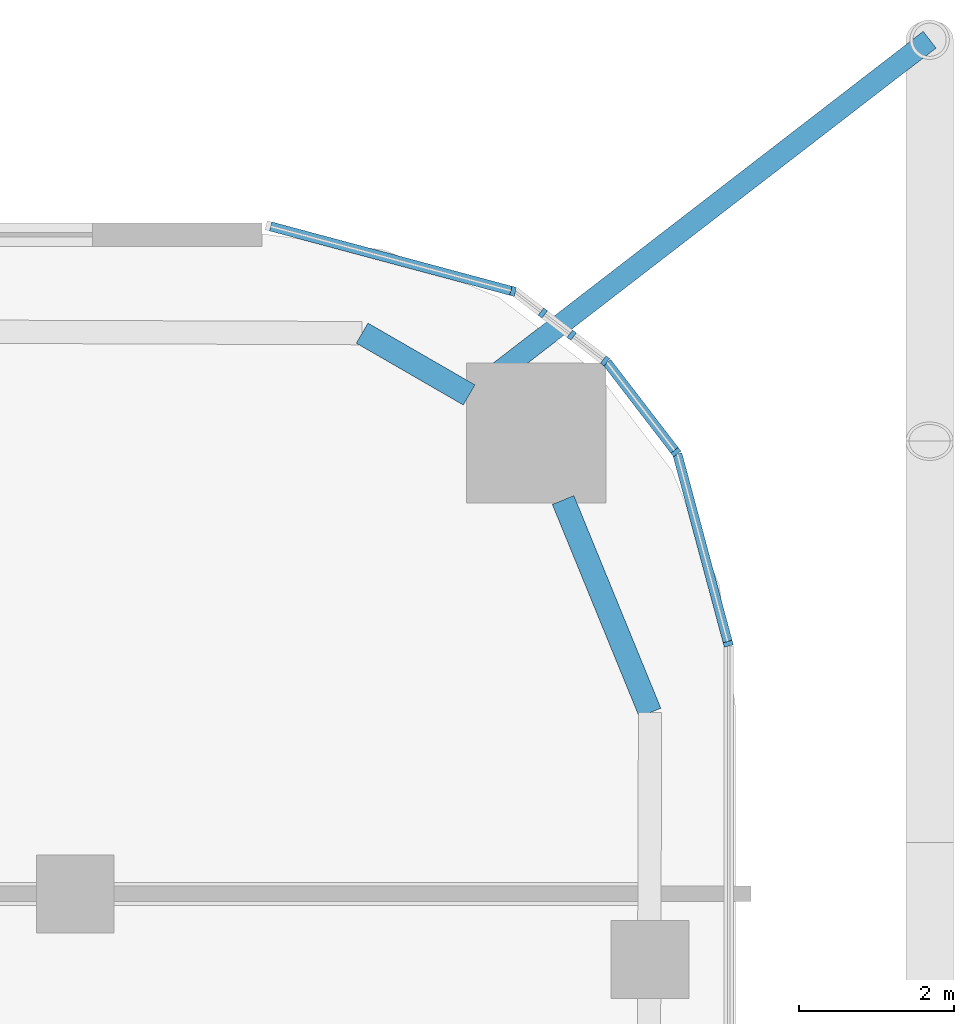
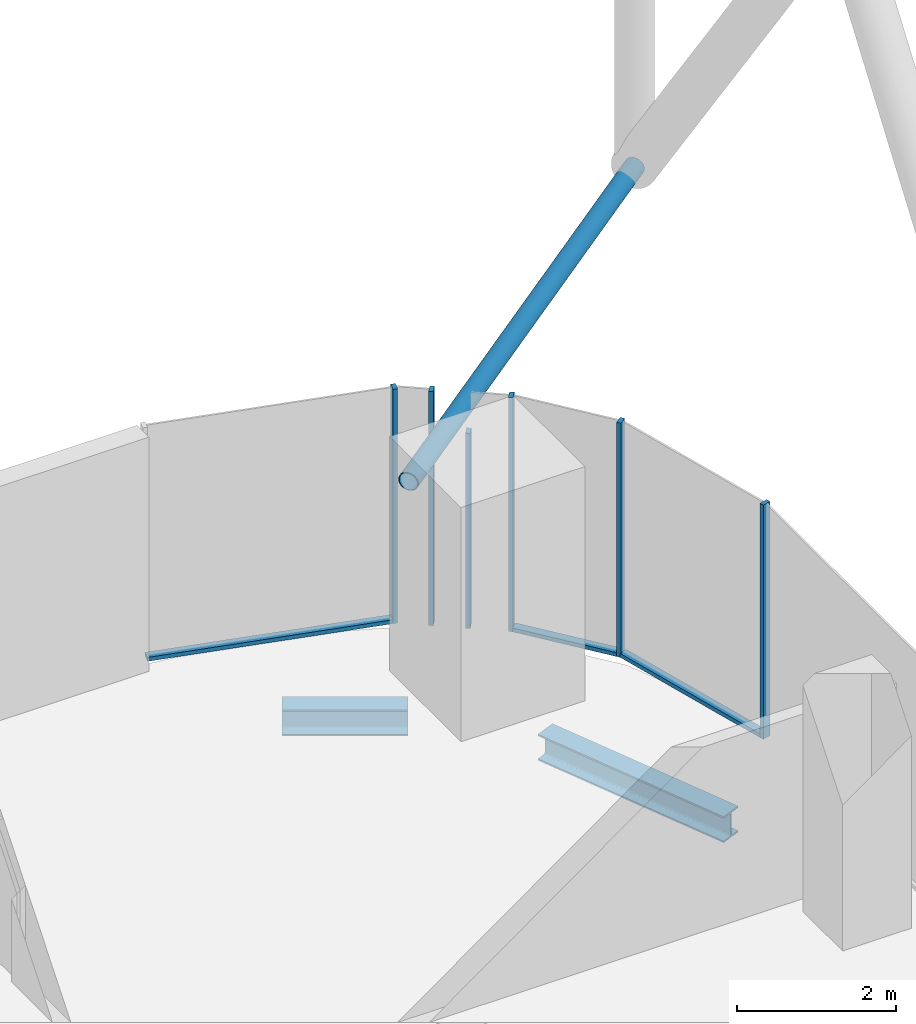
# One storey, part 14 of 34: 10 members, 2 beams, 6 elements without a shape of their own.
"""IFC4 building model written with IfcOpenShell, lengths in metres."""

from ifc_helpers import new_model, si_unit, direction, frame, origin, origin_2d, place, context, subcontext, project, spatial, rectangle, hollow_circle, i_section, extrude, material, layer, layer_set, material_profile, profile_set, type_object, element, aggregate, save


model = new_model("IFC4")

# Units and contexts
model_context = context("Model", 3, precision=1e-05, world=origin(), true_north=direction((0.0, 1.0)))
body_context = subcontext(model_context, "Body", "Model", "MODEL_VIEW")
ifc_project = project(units=[si_unit("LENGTHUNIT", "METRE"), si_unit("AREAUNIT", "SQUARE_METRE"), si_unit("VOLUMEUNIT", "CUBIC_METRE"), si_unit("PLANEANGLEUNIT", "RADIAN"), si_unit("MASSUNIT", "GRAM", prefix="KILO")], contexts=[model_context])

# Site, building, storey
site_placement = place(None, origin())
site = spatial("IfcSite", under=ifc_project, at=site_placement, CompositionType="ELEMENT")
building_placement = place(site_placement, origin())
building = spatial("IfcBuilding", under=site, at=building_placement, Name="Marenta Gate Hotel Tower", CompositionType="ELEMENT")
storey_placement = place(building_placement, frame((0.0, 0.0, 76.10009765625)))
storey = spatial("IfcBuildingStorey", under=building, at=storey_placement, Name="L17", CompositionType="ELEMENT", Elevation=76.10009765625)

# Beams
ifc_material_1 = material(Name="Steel S355", Category="steel")
ifc_material_profile_1 = material_profile(ifc_material_1, i_section(OverallWidth=0.300048828125, OverallDepth=0.39990234375, WebThickness=0.013427734375, FlangeThickness=0.02392578125, FilletRadius=0.027099609375, at=origin_2d()), Name="HEB 400")
ifc_profile_set_1 = profile_set([ifc_material_profile_1], Name="Steel S355")
beam_type = type_object("IfcBeamType", Name="Edge beam HEB 400", PredefinedType="SPANDREL", material=ifc_profile_set_1)
beam_1_placement = place(storey_placement, frame((24.69189453125, 32.42138671875, -0.460205078125), z_axis=(0.865968422476, -0.500098681536, 0.0), x_axis=(0.500098681536, 0.865968422476, 0.0)))
element("IfcBeam", 1, at=beam_1_placement, inside=storey, type_object=beam_type, Name="L17-EB-20", PredefinedType="SPANDREL", context=body_context, shape_type="SweptSolid", body=[
    extrude(i_section(OverallWidth=0.300048828125, OverallDepth=0.39990234375, WebThickness=0.013427734375, FlangeThickness=0.02392578125, FilletRadius=0.027099609375, at=origin_2d()), origin(), (0.0, 0.0, 1.0), 1.591552734375),
])
beam_2_placement = place(storey_placement, frame((27.280029296875, 30.2724609375, -0.460205078125), z_axis=(0.378565359962, -0.925574561144, 0.0), x_axis=(0.925574561144, 0.378565359962, 0.0)))
element("IfcBeam", 2, at=beam_2_placement, inside=storey, type_object=beam_type, Name="L17-EB-21", PredefinedType="SPANDREL", context=body_context, shape_type="SweptSolid", body=[
    extrude(i_section(OverallWidth=0.300048828125, OverallDepth=0.39990234375, WebThickness=0.013427734375, FlangeThickness=0.02392578125, FilletRadius=0.027099609375, at=origin_2d()), origin(), (0.0, 0.0, 1.0), 2.958251953125),
])

# Member
ifc_material_2 = material(Name="Steel S355J2W", Category="steel")
ifc_material_profile_2 = material_profile(ifc_material_2, hollow_circle(Radius=0.136474609375, WallThickness=0.012451171875, at=origin_2d()), Name="CHS 273x12.5")
ifc_profile_set_2 = profile_set([ifc_material_profile_2], Name="Steel S355J2W")
member_type_1 = type_object("IfcMemberType", Name="Floor tie CHS 273x12.5", PredefinedType="STRUT", material=ifc_profile_set_2)
member_1_placement = place(storey_placement, frame((32.0, 36.199951171875, 3.139892578125), z_axis=(-0.791777746729, -0.610809299032, 0.0), x_axis=(0.610809299032, -0.791777746729, 0.0)))
element("IfcMember", 3, at=member_1_placement, inside=storey, type_object=member_type_1, Name="L17-DR-7", PredefinedType="STRUT", context=body_context, shape_type="SweptSolid", body=[
    extrude(hollow_circle(Radius=0.136474609375, WallThickness=0.012451171875, at=origin_2d()), origin(), (0.0, 0.0, 1.0), 7.48193359375),
])

# Curtain wall, member
ifc_material_3 = material(Name="Tinted insulated glass in bronze anodised frame", Category="glass")
ifc_layer = layer(ifc_material_3, 0.1201171875)
ifc_layer_set = layer_set([ifc_layer], Name="Tinted insulated glass in bronze anodised frame")
curtain_wall_type = type_object("IfcCurtainWallType", Name="Tower unitised curtain wall CW1", PredefinedType="NOTDEFINED", material=ifc_layer_set)
curtain_wall_1_placement = place(storey_placement, origin())
curtain_wall_1 = element("IfcCurtainWall", 4, at=curtain_wall_1_placement, inside=storey, type_object=curtain_wall_type, Name="CW1 run G19", PredefinedType="NOTDEFINED")
ifc_material_4 = material(Name="Bronze anodised aluminium", Category="aluminium")
ifc_material_profile_3 = material_profile(ifc_material_4, rectangle(XDim=0.1201171875, YDim=0.06005859375, at=origin_2d()), Name="Mullion CW1 60x120 bronze anodised aluminium")
ifc_profile_set_3 = profile_set([ifc_material_profile_3], Name="Bronze anodised aluminium")
member_type_2 = type_object("IfcMemberType", Name="Mullion CW1 60x120 bronze anodised aluminium", PredefinedType="MULLION", material=ifc_profile_set_3)
member_2_placement = place(storey_placement, frame((29.40625, 28.4208984375, 0.0), z_axis=(0.0, 0.0, 1.0), x_axis=(-0.965925039579, -0.258821981125, 0.0)))
member_2 = element("IfcMember", 5, at=member_2_placement, type_object=member_type_2, Name="CW1 mullion 1", PredefinedType="MULLION", context=body_context, shape_type="SweptSolid", body=[
    extrude(rectangle(XDim=0.1201171875, YDim=0.06005859375, at=origin_2d()), origin(), (0.0, 0.0, 1.0), 3.599853515625),
])

curtain_wall_2_placement = place(storey_placement, origin())
curtain_wall_2 = element("IfcCurtainWall", 6, at=curtain_wall_2_placement, inside=storey, type_object=curtain_wall_type, Name="CW1 run G20", PredefinedType="NOTDEFINED")
member_3_placement = place(storey_placement, frame((28.733154296875, 30.888916015625, 0.0), z_axis=(0.0, 0.0, 1.0), x_axis=(-0.79333801153, -0.608781405318, 0.0)))
member_3 = element("IfcMember", 7, at=member_3_placement, type_object=member_type_2, Name="CW1 mullion 1", PredefinedType="MULLION", context=body_context, shape_type="SweptSolid", body=[
    extrude(rectangle(XDim=0.1201171875, YDim=0.06005859375, at=origin_2d()), origin(), (0.0, 0.0, 1.0), 3.599853515625),
])

curtain_wall_3_placement = place(storey_placement, origin())
curtain_wall_3 = element("IfcCurtainWall", 8, at=curtain_wall_3_placement, inside=storey, type_object=curtain_wall_type, Name="CW1 run G21", PredefinedType="NOTDEFINED")
member_4_placement = place(storey_placement, frame((27.82177734375, 32.063720703125, 0.0), z_axis=(0.0, 0.0, 1.0), x_axis=(-0.608794550401, -0.793327924254, 0.0)))
member_4 = element("IfcMember", 9, at=member_4_placement, type_object=member_type_2, Name="CW1 mullion 1", PredefinedType="MULLION", context=body_context, shape_type="SweptSolid", body=[
    extrude(rectangle(XDim=0.1201171875, YDim=0.06005859375, at=origin_2d()), origin(), (0.0, 0.0, 1.0), 3.599853515625),
])
aggregate(curtain_wall_3, [member_4])

curtain_wall_4_placement = place(storey_placement, origin())
curtain_wall_4 = element("IfcCurtainWall", 10, at=curtain_wall_4_placement, inside=storey, type_object=curtain_wall_type, Name="CW1 run G22", PredefinedType="NOTDEFINED")
member_5_placement = place(storey_placement, frame((27.390380859375, 32.394775390625, 0.0), z_axis=(0.0, 0.0, 1.0), x_axis=(-0.608771939349, -0.793345275313, 0.0)))
member_5 = element("IfcMember", 11, at=member_5_placement, type_object=member_type_2, Name="CW1 mullion 1", PredefinedType="MULLION", context=body_context, shape_type="SweptSolid", body=[
    extrude(rectangle(XDim=0.1201171875, YDim=0.06005859375, at=origin_2d()), origin(), (0.0, 0.0, 1.0), 3.00048828125),
])
aggregate(curtain_wall_4, [member_5])

curtain_wall_5_placement = place(storey_placement, origin())
curtain_wall_5 = element("IfcCurtainWall", 12, at=curtain_wall_5_placement, inside=storey, type_object=curtain_wall_type, Name="CW1 run G23", PredefinedType="NOTDEFINED")
member_6_placement = place(storey_placement, frame((27.018798828125, 32.679931640625, 0.0), z_axis=(0.0, 0.0, 1.0), x_axis=(-0.608775711402, -0.793342380821, 0.0)))
member_6 = element("IfcMember", 13, at=member_6_placement, type_object=member_type_2, Name="CW1 mullion 1", PredefinedType="MULLION", context=body_context, shape_type="SweptSolid", body=[
    extrude(rectangle(XDim=0.1201171875, YDim=0.06005859375, at=origin_2d()), origin(), (0.0, 0.0, 1.0), 3.599853515625),
])
aggregate(curtain_wall_5, [member_6])

curtain_wall_6_placement = place(storey_placement, origin())
curtain_wall_6 = element("IfcCurtainWall", 14, at=curtain_wall_6_placement, inside=storey, type_object=curtain_wall_type, Name="CW1 run G24", PredefinedType="NOTDEFINED")
member_7_placement = place(storey_placement, frame((26.63623046875, 32.958984375, 0.0), z_axis=(0.0, 0.0, 1.0), x_axis=(-0.258807310344, -0.965928970532, 0.0)))
member_7 = element("IfcMember", 15, at=member_7_placement, type_object=member_type_2, Name="CW1 mullion 1", PredefinedType="MULLION", context=body_context, shape_type="SweptSolid", body=[
    extrude(rectangle(XDim=0.1201171875, YDim=0.06005859375, at=origin_2d()), origin(), (0.0, 0.0, 1.0), 3.599853515625),
])

# Member
ifc_material_5 = material(Name="Bronze anodised aluminium", Category="aluminium")
ifc_material_profile_4 = material_profile(ifc_material_5, rectangle(XDim=0.1201171875, YDim=0.06005859375, at=origin_2d()), Name="Transom CW1 60x120 bronze anodised aluminium")
ifc_profile_set_4 = profile_set([ifc_material_profile_4], Name="Bronze anodised aluminium")
member_type_3 = type_object("IfcMemberType", Name="Transom CW1 60x120 bronze anodised aluminium", PredefinedType="USERDEFINED", material=ifc_profile_set_4)
member_8_placement = place(storey_placement, frame((29.3984375, 28.449951171875, 0.02978515625), z_axis=(-0.258859731326, 0.96591492353, 0.0), x_axis=(-0.96591492353, -0.258859731326, 0.0)))
member_8 = element("IfcMember", 16, at=member_8_placement, type_object=member_type_3, Name="CW1 transom 1.1", ObjectType="TRANSOM", PredefinedType="USERDEFINED", context=body_context, shape_type="SweptSolid", body=[
    extrude(rectangle(XDim=0.1201171875, YDim=0.06005859375, at=origin_2d()), origin(), (0.0, 0.0, 1.0), 2.500244140625),
])

aggregate(curtain_wall_1, [member_2, member_8])

member_9_placement = place(storey_placement, frame((28.71484375, 30.91259765625, 0.02978515625), z_axis=(-0.60882629199, 0.793303564963, 0.0), x_axis=(-0.793303564963, -0.60882629199, 0.0)))
member_9 = element("IfcMember", 17, at=member_9_placement, type_object=member_type_3, Name="CW1 transom 1.1", ObjectType="TRANSOM", PredefinedType="USERDEFINED", context=body_context, shape_type="SweptSolid", body=[
    extrude(rectangle(XDim=0.1201171875, YDim=0.06005859375, at=origin_2d()), origin(), (0.0, 0.0, 1.0), 1.427978515625),
])

aggregate(curtain_wall_2, [member_3, member_9])

member_10_placement = place(storey_placement, frame((26.607177734375, 32.966796875, 0.02978515625), z_axis=(-0.965933076693, 0.258791984709, 0.0), x_axis=(-0.258791984709, -0.965933076693, 0.0)))
member_10 = element("IfcMember", 18, at=member_10_placement, type_object=member_type_3, Name="CW1 transom 1.1", ObjectType="TRANSOM", PredefinedType="USERDEFINED", context=body_context, shape_type="SweptSolid", body=[
    extrude(rectangle(XDim=0.1201171875, YDim=0.06005859375, at=origin_2d()), origin(), (0.0, 0.0, 1.0), 3.201904296875),
])

aggregate(curtain_wall_6, [member_7, member_10])

save(model, "model.ifc")
